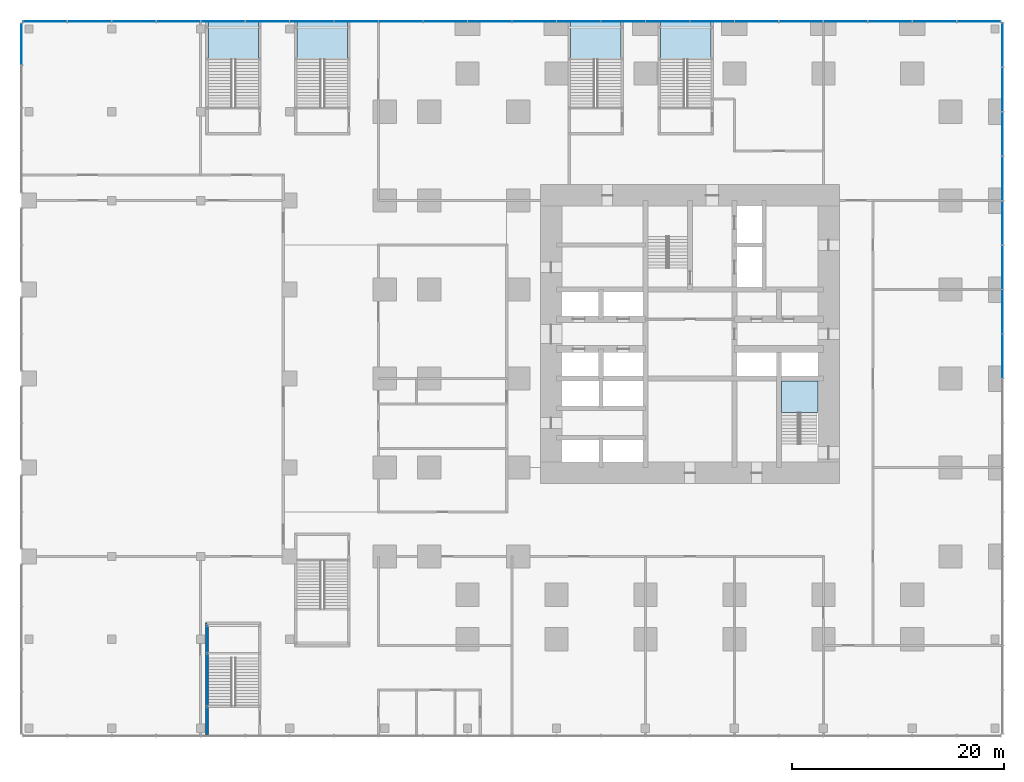
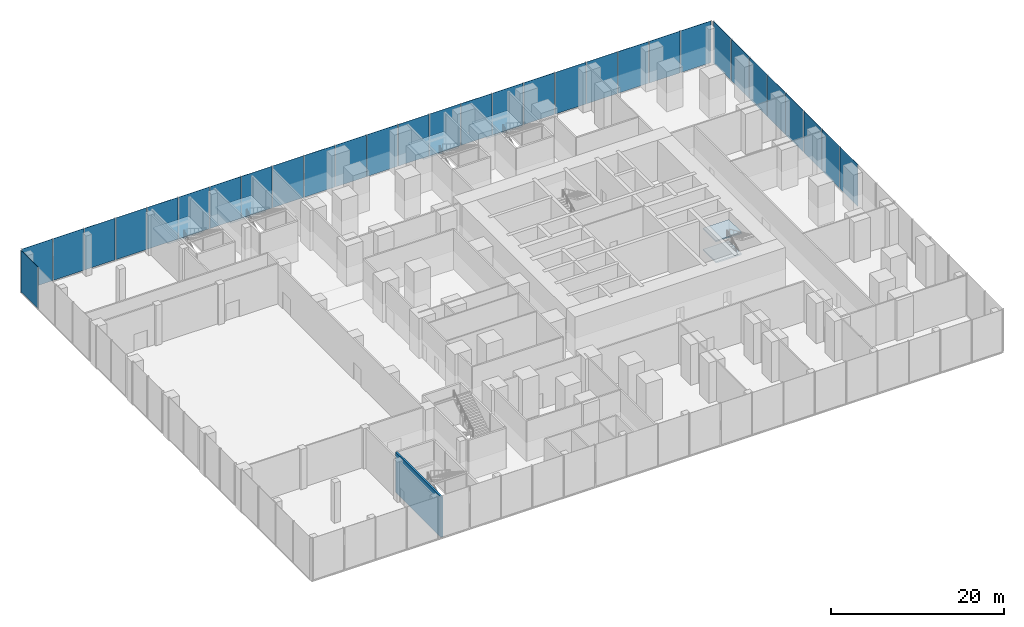
# One storey, part 24 of 32: 31 plates, 6 slabs, 1 wall, 8 elements without a shape of their own.
"""IFC4 building model written with IfcOpenShell, lengths in metres."""

from ifc_helpers import new_model, si_unit, direction, frame, frame_2d, origin, origin_2d, place, context, subcontext, project, spatial, polyline, rectangle, outline, extrude, material, layer, layer_set, type_object, element, aggregate, save


model = new_model("IFC4")

# Units and contexts
model_context = context("Model", 3, precision=1e-05, world=origin(), true_north=direction((0.0, 1.0)))
body_context = subcontext(model_context, "Body", "Model", "MODEL_VIEW")
ifc_project = project(units=[si_unit("LENGTHUNIT", "METRE"), si_unit("AREAUNIT", "SQUARE_METRE"), si_unit("VOLUMEUNIT", "CUBIC_METRE"), si_unit("PLANEANGLEUNIT", "RADIAN"), si_unit("MASSUNIT", "GRAM", prefix="KILO")], contexts=[model_context])

# Site, building, storey
site_placement = place(None, origin())
site = spatial("IfcSite", under=ifc_project, at=site_placement, CompositionType="ELEMENT")
building_placement = place(site_placement, origin())
building = spatial("IfcBuilding", under=site, at=building_placement, Name="Dunama Terrace Hotel", CompositionType="ELEMENT")
storey_placement = place(building_placement, frame((0.0, 0.0, 6.0)))
storey = spatial("IfcBuildingStorey", under=building, at=storey_placement, Name="L01", CompositionType="ELEMENT", Elevation=6.0)

# Curtain wall, plates
ifc_material_1 = material(Name="Aluminium curtain wall system", Category="aluminium")
curtain_wall_type = type_object("IfcCurtainWallType", Name="Podium storefront glazing CW-E", PredefinedType="NOTDEFINED", material=ifc_material_1)
curtain_wall_1_placement = place(storey_placement, origin())
curtain_wall_1 = element("IfcCurtainWall", 1, at=curtain_wall_1_placement, inside=storey, type_object=curtain_wall_type, Name="Podium storefront glazing CW-E L01", PredefinedType="NOTDEFINED")
ifc_material_2 = material(Name="Laminated glass", Category="glass")
ifc_layer_1 = layer(ifc_material_2, 0.033935546875)
ifc_layer_set_1 = layer_set([ifc_layer_1], Name="CWE clear glass panel")
plate_type_1 = type_object("IfcPlateType", Name="CWE clear glass panel", PredefinedType="CURTAIN_PANEL", material=ifc_layer_set_1)
plate_1_placement = place(storey_placement, frame((58.925048828125, 31.5, 0.08984375), z_axis=(0.0, 0.0, 1.0), x_axis=(0.0, 1.0, 0.0)))
plate_1 = element("IfcPlate", 2, at=plate_1_placement, type_object=plate_type_1, Name="CWE clear glass panel", PredefinedType="CURTAIN_PANEL", context=body_context, shape_type="SweptSolid", body=[
    extrude(rectangle(XDim=4.1201171875, YDim=0.033935546875, at=origin_2d()), origin(), (0.0, 0.0, 1.0), 5.909912109375),
])
plate_2_placement = place(storey_placement, frame((58.925048828125, 44.10009765625, 0.08984375), z_axis=(0.0, 0.0, 1.0), x_axis=(0.0, 1.0, 0.0)))
plate_2 = element("IfcPlate", 3, at=plate_2_placement, type_object=plate_type_1, Name="CWE clear glass panel", PredefinedType="CURTAIN_PANEL", context=body_context, shape_type="SweptSolid", body=[
    extrude(rectangle(XDim=4.1201171875, YDim=0.033935546875, at=origin_2d()), origin(), (0.0, 0.0, 1.0), 5.909912109375),
])
plate_3_placement = place(storey_placement, frame((58.925048828125, 56.679931640625, 0.08984375), z_axis=(0.0, 0.0, 1.0), x_axis=(0.0, 1.0, 0.0)))
plate_3 = element("IfcPlate", 4, at=plate_3_placement, type_object=plate_type_1, Name="CWE clear glass panel", PredefinedType="CURTAIN_PANEL", context=body_context, shape_type="SweptSolid", body=[
    extrude(rectangle(XDim=4.080078125, YDim=0.033935546875, at=origin_2d()), origin(), (0.0, 0.0, 1.0), 5.909912109375),
])

curtain_wall_2_placement = place(storey_placement, origin())
curtain_wall_2 = element("IfcCurtainWall", 5, at=curtain_wall_2_placement, inside=storey, type_object=curtain_wall_type, Name="Podium storefront glazing CW-E L01", PredefinedType="NOTDEFINED")
plate_4_placement = place(storey_placement, frame((56.679931640625, 58.925048828125, 0.08984375), z_axis=(0.0, 0.0, 1.0), x_axis=(-1.0, 0.0, 0.0)))
plate_4 = element("IfcPlate", 6, at=plate_4_placement, type_object=plate_type_1, Name="CWE clear glass panel", PredefinedType="CURTAIN_PANEL", context=body_context, shape_type="SweptSolid", body=[
    extrude(rectangle(XDim=4.080078125, YDim=0.033935546875, at=origin_2d()), origin(), (0.0, 0.0, 1.0), 5.909912109375),
])
plate_5_placement = place(storey_placement, frame((44.10009765625, 58.925048828125, 0.08984375), z_axis=(0.0, 0.0, 1.0), x_axis=(-1.0, 0.0, 0.0)))
plate_5 = element("IfcPlate", 7, at=plate_5_placement, type_object=plate_type_1, Name="CWE clear glass panel", PredefinedType="CURTAIN_PANEL", context=body_context, shape_type="SweptSolid", body=[
    extrude(rectangle(XDim=4.1201171875, YDim=0.033935546875, at=origin_2d()), origin(), (0.0, 0.0, 1.0), 5.909912109375),
])
plate_6_placement = place(storey_placement, frame((31.5, 58.925048828125, 0.08984375), z_axis=(0.0, 0.0, 1.0), x_axis=(-1.0, 0.0, 0.0)))
plate_6 = element("IfcPlate", 8, at=plate_6_placement, type_object=plate_type_1, Name="CWE clear glass panel", PredefinedType="CURTAIN_PANEL", context=body_context, shape_type="SweptSolid", body=[
    extrude(rectangle(XDim=4.1201171875, YDim=0.033935546875, at=origin_2d()), origin(), (0.0, 0.0, 1.0), 5.909912109375),
])
plate_7_placement = place(storey_placement, frame((18.89990234375, 58.925048828125, 0.08984375), z_axis=(0.0, 0.0, 1.0), x_axis=(-1.0, 0.0, 0.0)))
plate_7 = element("IfcPlate", 9, at=plate_7_placement, type_object=plate_type_1, Name="CWE clear glass panel", PredefinedType="CURTAIN_PANEL", context=body_context, shape_type="SweptSolid", body=[
    extrude(rectangle(XDim=4.1201171875, YDim=0.033935546875, at=origin_2d()), origin(), (0.0, 0.0, 1.0), 5.909912109375),
])
plate_8_placement = place(storey_placement, frame((6.300048828125, 58.925048828125, 0.08984375), z_axis=(0.0, 0.0, 1.0), x_axis=(-1.0, 0.0, 0.0)))
plate_8 = element("IfcPlate", 10, at=plate_8_placement, type_object=plate_type_1, Name="CWE clear glass panel", PredefinedType="CURTAIN_PANEL", context=body_context, shape_type="SweptSolid", body=[
    extrude(rectangle(XDim=4.1201171875, YDim=0.033935546875, at=origin_2d()), origin(), (0.0, 0.0, 1.0), 5.909912109375),
])
plate_9_placement = place(storey_placement, frame((-6.300048828125, 58.925048828125, 0.08984375), z_axis=(0.0, 0.0, 1.0), x_axis=(-1.0, 0.0, 0.0)))
plate_9 = element("IfcPlate", 11, at=plate_9_placement, type_object=plate_type_1, Name="CWE clear glass panel", PredefinedType="CURTAIN_PANEL", context=body_context, shape_type="SweptSolid", body=[
    extrude(rectangle(XDim=4.1201171875, YDim=0.033935546875, at=origin_2d()), origin(), (0.0, 0.0, 1.0), 5.909912109375),
])
plate_10_placement = place(storey_placement, frame((-18.89990234375, 58.925048828125, 0.08984375), z_axis=(0.0, 0.0, 1.0), x_axis=(-1.0, 0.0, 0.0)))
plate_10 = element("IfcPlate", 12, at=plate_10_placement, type_object=plate_type_1, Name="CWE clear glass panel", PredefinedType="CURTAIN_PANEL", context=body_context, shape_type="SweptSolid", body=[
    extrude(rectangle(XDim=4.1201171875, YDim=0.033935546875, at=origin_2d()), origin(), (0.0, 0.0, 1.0), 5.909912109375),
])
plate_11_placement = place(storey_placement, frame((-31.47998046875, 58.925048828125, 0.08984375), z_axis=(0.0, 0.0, 1.0), x_axis=(-1.0, 0.0, 0.0)))
plate_11 = element("IfcPlate", 13, at=plate_11_placement, type_object=plate_type_1, Name="CWE clear glass panel", PredefinedType="CURTAIN_PANEL", context=body_context, shape_type="SweptSolid", body=[
    extrude(rectangle(XDim=4.080078125, YDim=0.033935546875, at=origin_2d()), origin(), (0.0, 0.0, 1.0), 5.909912109375),
])

# Curtain wall, plate
curtain_wall_3_placement = place(storey_placement, origin())
curtain_wall_3 = element("IfcCurtainWall", 14, at=curtain_wall_3_placement, inside=storey, type_object=curtain_wall_type, Name="Podium storefront glazing CW-E L01", PredefinedType="NOTDEFINED")
plate_12_placement = place(storey_placement, frame((-33.72509765625, 56.76708984375, 0.08984375), z_axis=(0.0, 0.0, 1.0), x_axis=(0.0, -1.0, 0.0)))
plate_12 = element("IfcPlate", 15, at=plate_12_placement, type_object=plate_type_1, Name="CWE clear glass panel", PredefinedType="CURTAIN_PANEL", context=body_context, shape_type="SweptSolid", body=[
    extrude(rectangle(XDim=3.905029296875, YDim=0.033935546875, at=origin_2d()), origin(), (0.0, 0.0, 1.0), 5.909912109375),
])
aggregate(curtain_wall_3, [plate_12])

# Plate
ifc_material_3 = material(Name="Fritted laminated glass", Category="glass")
ifc_layer_2 = layer(ifc_material_3, 0.033935546875)
ifc_layer_set_2 = layer_set([ifc_layer_2], Name="CWE fritted glass panel")
plate_type_2 = type_object("IfcPlateType", Name="CWE fritted glass panel", PredefinedType="CURTAIN_PANEL", material=ifc_layer_set_2)
plate_13_placement = place(storey_placement, frame((58.925048828125, 27.300048828125, 0.08984375), z_axis=(0.0, 0.0, 1.0), x_axis=(0.0, 1.0, 0.0)))
plate_13 = element("IfcPlate", 16, at=plate_13_placement, type_object=plate_type_2, Name="CWE fritted glass panel", PredefinedType="CURTAIN_PANEL", context=body_context, shape_type="SweptSolid", body=[
    extrude(rectangle(XDim=4.1201171875, YDim=0.033935546875, at=origin_2d()), origin(), (0.0, 0.0, 1.0), 5.909912109375),
])

plate_14_placement = place(storey_placement, frame((58.925048828125, 39.89990234375, 0.08984375), z_axis=(0.0, 0.0, 1.0), x_axis=(0.0, 1.0, 0.0)))
plate_14 = element("IfcPlate", 17, at=plate_14_placement, type_object=plate_type_2, Name="CWE fritted glass panel", PredefinedType="CURTAIN_PANEL", context=body_context, shape_type="SweptSolid", body=[
    extrude(rectangle(XDim=4.1201171875, YDim=0.033935546875, at=origin_2d()), origin(), (0.0, 0.0, 1.0), 5.909912109375),
])

plate_15_placement = place(storey_placement, frame((58.925048828125, 52.5, 0.08984375), z_axis=(0.0, 0.0, 1.0), x_axis=(0.0, 1.0, 0.0)))
plate_15 = element("IfcPlate", 18, at=plate_15_placement, type_object=plate_type_2, Name="CWE fritted glass panel", PredefinedType="CURTAIN_PANEL", context=body_context, shape_type="SweptSolid", body=[
    extrude(rectangle(XDim=4.1201171875, YDim=0.033935546875, at=origin_2d()), origin(), (0.0, 0.0, 1.0), 5.909912109375),
])

plate_16_placement = place(storey_placement, frame((48.300048828125, 58.925048828125, 0.08984375), z_axis=(0.0, 0.0, 1.0), x_axis=(-1.0, 0.0, 0.0)))
plate_16 = element("IfcPlate", 19, at=plate_16_placement, type_object=plate_type_2, Name="CWE fritted glass panel", PredefinedType="CURTAIN_PANEL", context=body_context, shape_type="SweptSolid", body=[
    extrude(rectangle(XDim=4.1201171875, YDim=0.033935546875, at=origin_2d()), origin(), (0.0, 0.0, 1.0), 5.909912109375),
])

plate_17_placement = place(storey_placement, frame((35.699951171875, 58.925048828125, 0.08984375), z_axis=(0.0, 0.0, 1.0), x_axis=(-1.0, 0.0, 0.0)))
plate_17 = element("IfcPlate", 20, at=plate_17_placement, type_object=plate_type_2, Name="CWE fritted glass panel", PredefinedType="CURTAIN_PANEL", context=body_context, shape_type="SweptSolid", body=[
    extrude(rectangle(XDim=4.1201171875, YDim=0.033935546875, at=origin_2d()), origin(), (0.0, 0.0, 1.0), 5.909912109375),
])

plate_18_placement = place(storey_placement, frame((23.10009765625, 58.925048828125, 0.08984375), z_axis=(0.0, 0.0, 1.0), x_axis=(-1.0, 0.0, 0.0)))
plate_18 = element("IfcPlate", 21, at=plate_18_placement, type_object=plate_type_2, Name="CWE fritted glass panel", PredefinedType="CURTAIN_PANEL", context=body_context, shape_type="SweptSolid", body=[
    extrude(rectangle(XDim=4.1201171875, YDim=0.033935546875, at=origin_2d()), origin(), (0.0, 0.0, 1.0), 5.909912109375),
])

plate_19_placement = place(storey_placement, frame((10.5, 58.925048828125, 0.08984375), z_axis=(0.0, 0.0, 1.0), x_axis=(-1.0, 0.0, 0.0)))
plate_19 = element("IfcPlate", 22, at=plate_19_placement, type_object=plate_type_2, Name="CWE fritted glass panel", PredefinedType="CURTAIN_PANEL", context=body_context, shape_type="SweptSolid", body=[
    extrude(rectangle(XDim=4.1201171875, YDim=0.033935546875, at=origin_2d()), origin(), (0.0, 0.0, 1.0), 5.909912109375),
])

plate_20_placement = place(storey_placement, frame((-2.10009765625, 58.925048828125, 0.08984375), z_axis=(0.0, 0.0, 1.0), x_axis=(-1.0, 0.0, 0.0)))
plate_20 = element("IfcPlate", 23, at=plate_20_placement, type_object=plate_type_2, Name="CWE fritted glass panel", PredefinedType="CURTAIN_PANEL", context=body_context, shape_type="SweptSolid", body=[
    extrude(rectangle(XDim=4.1201171875, YDim=0.033935546875, at=origin_2d()), origin(), (0.0, 0.0, 1.0), 5.909912109375),
])

plate_21_placement = place(storey_placement, frame((-14.699951171875, 58.925048828125, 0.08984375), z_axis=(0.0, 0.0, 1.0), x_axis=(-1.0, 0.0, 0.0)))
plate_21 = element("IfcPlate", 24, at=plate_21_placement, type_object=plate_type_2, Name="CWE fritted glass panel", PredefinedType="CURTAIN_PANEL", context=body_context, shape_type="SweptSolid", body=[
    extrude(rectangle(XDim=4.1201171875, YDim=0.033935546875, at=origin_2d()), origin(), (0.0, 0.0, 1.0), 5.909912109375),
])

plate_22_placement = place(storey_placement, frame((-27.300048828125, 58.925048828125, 0.08984375), z_axis=(0.0, 0.0, 1.0), x_axis=(-1.0, 0.0, 0.0)))
plate_22 = element("IfcPlate", 25, at=plate_22_placement, type_object=plate_type_2, Name="CWE fritted glass panel", PredefinedType="CURTAIN_PANEL", context=body_context, shape_type="SweptSolid", body=[
    extrude(rectangle(XDim=4.1201171875, YDim=0.033935546875, at=origin_2d()), origin(), (0.0, 0.0, 1.0), 5.909912109375),
])

ifc_material_4 = material(Name="Laminated glass", Category="glass")
ifc_layer_3 = layer(ifc_material_4, 0.033935546875)
ifc_layer_set_3 = layer_set([ifc_layer_3], Name="CWE operable glass panel")
plate_type_3 = type_object("IfcPlateType", Name="CWE operable glass panel", PredefinedType="CURTAIN_PANEL", material=ifc_layer_set_3)
plate_23_placement = place(storey_placement, frame((58.925048828125, 35.699951171875, 0.08984375), z_axis=(0.0, 0.0, 1.0), x_axis=(0.0, 1.0, 0.0)))
plate_23 = element("IfcPlate", 26, at=plate_23_placement, type_object=plate_type_3, Name="CWE operable glass panel", PredefinedType="CURTAIN_PANEL", context=body_context, shape_type="SweptSolid", body=[
    extrude(rectangle(XDim=4.1201171875, YDim=0.033935546875, at=origin_2d()), origin(), (0.0, 0.0, 1.0), 5.909912109375),
])

plate_24_placement = place(storey_placement, frame((58.925048828125, 48.300048828125, 0.08984375), z_axis=(0.0, 0.0, 1.0), x_axis=(0.0, 1.0, 0.0)))
plate_24 = element("IfcPlate", 27, at=plate_24_placement, type_object=plate_type_3, Name="CWE operable glass panel", PredefinedType="CURTAIN_PANEL", context=body_context, shape_type="SweptSolid", body=[
    extrude(rectangle(XDim=4.1201171875, YDim=0.033935546875, at=origin_2d()), origin(), (0.0, 0.0, 1.0), 5.909912109375),
])

aggregate(curtain_wall_1, [plate_13, plate_1, plate_23, plate_14, plate_2, plate_24, plate_15, plate_3])

plate_25_placement = place(storey_placement, frame((52.5, 58.925048828125, 0.08984375), z_axis=(0.0, 0.0, 1.0), x_axis=(-1.0, 0.0, 0.0)))
plate_25 = element("IfcPlate", 28, at=plate_25_placement, type_object=plate_type_3, Name="CWE operable glass panel", PredefinedType="CURTAIN_PANEL", context=body_context, shape_type="SweptSolid", body=[
    extrude(rectangle(XDim=4.1201171875, YDim=0.033935546875, at=origin_2d()), origin(), (0.0, 0.0, 1.0), 5.909912109375),
])

plate_26_placement = place(storey_placement, frame((39.89990234375, 58.925048828125, 0.08984375), z_axis=(0.0, 0.0, 1.0), x_axis=(-1.0, 0.0, 0.0)))
plate_26 = element("IfcPlate", 29, at=plate_26_placement, type_object=plate_type_3, Name="CWE operable glass panel", PredefinedType="CURTAIN_PANEL", context=body_context, shape_type="SweptSolid", body=[
    extrude(rectangle(XDim=4.1201171875, YDim=0.033935546875, at=origin_2d()), origin(), (0.0, 0.0, 1.0), 5.909912109375),
])

plate_27_placement = place(storey_placement, frame((27.300048828125, 58.925048828125, 0.08984375), z_axis=(0.0, 0.0, 1.0), x_axis=(-1.0, 0.0, 0.0)))
plate_27 = element("IfcPlate", 30, at=plate_27_placement, type_object=plate_type_3, Name="CWE operable glass panel", PredefinedType="CURTAIN_PANEL", context=body_context, shape_type="SweptSolid", body=[
    extrude(rectangle(XDim=4.1201171875, YDim=0.033935546875, at=origin_2d()), origin(), (0.0, 0.0, 1.0), 5.909912109375),
])

plate_28_placement = place(storey_placement, frame((14.699951171875, 58.925048828125, 0.08984375), z_axis=(0.0, 0.0, 1.0), x_axis=(-1.0, 0.0, 0.0)))
plate_28 = element("IfcPlate", 31, at=plate_28_placement, type_object=plate_type_3, Name="CWE operable glass panel", PredefinedType="CURTAIN_PANEL", context=body_context, shape_type="SweptSolid", body=[
    extrude(rectangle(XDim=4.1201171875, YDim=0.033935546875, at=origin_2d()), origin(), (0.0, 0.0, 1.0), 5.909912109375),
])

plate_29_placement = place(storey_placement, frame((2.10009765625, 58.925048828125, 0.08984375), z_axis=(0.0, 0.0, 1.0), x_axis=(-1.0, 0.0, 0.0)))
plate_29 = element("IfcPlate", 32, at=plate_29_placement, type_object=plate_type_3, Name="CWE operable glass panel", PredefinedType="CURTAIN_PANEL", context=body_context, shape_type="SweptSolid", body=[
    extrude(rectangle(XDim=4.1201171875, YDim=0.033935546875, at=origin_2d()), origin(), (0.0, 0.0, 1.0), 5.909912109375),
])

plate_30_placement = place(storey_placement, frame((-10.5, 58.925048828125, 0.08984375), z_axis=(0.0, 0.0, 1.0), x_axis=(-1.0, 0.0, 0.0)))
plate_30 = element("IfcPlate", 33, at=plate_30_placement, type_object=plate_type_3, Name="CWE operable glass panel", PredefinedType="CURTAIN_PANEL", context=body_context, shape_type="SweptSolid", body=[
    extrude(rectangle(XDim=4.1201171875, YDim=0.033935546875, at=origin_2d()), origin(), (0.0, 0.0, 1.0), 5.909912109375),
])

plate_31_placement = place(storey_placement, frame((-23.10009765625, 58.925048828125, 0.08984375), z_axis=(0.0, 0.0, 1.0), x_axis=(-1.0, 0.0, 0.0)))
plate_31 = element("IfcPlate", 34, at=plate_31_placement, type_object=plate_type_3, Name="CWE operable glass panel", PredefinedType="CURTAIN_PANEL", context=body_context, shape_type="SweptSolid", body=[
    extrude(rectangle(XDim=4.1201171875, YDim=0.033935546875, at=origin_2d()), origin(), (0.0, 0.0, 1.0), 5.909912109375),
])

aggregate(curtain_wall_2, [plate_4, plate_25, plate_16, plate_5, plate_26, plate_17, plate_6, plate_27, plate_18, plate_7, plate_28, plate_19, plate_8, plate_29, plate_20, plate_9, plate_30, plate_21, plate_10, plate_31, plate_22, plate_11])

# Stair, slab
ifc_material_5 = material(Name="Concrete C40/50", Category="concrete")
stair_type_1 = type_object("IfcStairType", Name="Stair P1-6000-2250", PredefinedType="HALF_TURN_STAIR", material=ifc_material_5)
stair_1_placement = place(storey_placement, origin())
stair_1 = element("IfcStair", 35, at=stair_1_placement, inside=storey, type_object=stair_type_1, Name="Stair P1 L01", PredefinedType="HALF_TURN_STAIR")
ifc_material_6 = material(Name="Concrete C40/50", Category="concrete")
ifc_layer_4 = layer(ifc_material_6, 0.25)
ifc_layer_set_4 = layer_set([ifc_layer_4], Name="Podium stair landing 250")
slab_type_1 = type_object("IfcSlabType", Name="Podium stair landing 250", PredefinedType="LANDING", material=ifc_layer_set_4)
slab_1_placement = place(storey_placement, frame((0.0, 0.0, 2.75)))
slab_1 = element("IfcSlab", 36, at=slab_1_placement, type_object=slab_type_1, Name="P1 landing 1, type S11", PredefinedType="LANDING", context=body_context, shape_type="SweptSolid", body=[
    extrude(outline(polyline([(-16.074951171875, 55.304931640625), (-11.324951171875, 55.304931640625), (-11.324951171875, 58.800048828125), (-16.074951171875, 58.800048828125), (-16.074951171875, 55.304931640625)])), origin(), (0.0, 0.0, 1.0), 0.25),
])
aggregate(stair_1, [slab_1])

ifc_material_7 = material(Name="Concrete C40/50", Category="concrete")
stair_type_2 = type_object("IfcStairType", Name="Stair P3-6000-2250", PredefinedType="HALF_TURN_STAIR", material=ifc_material_7)
stair_2_placement = place(storey_placement, origin())
stair_2 = element("IfcStair", 37, at=stair_2_placement, inside=storey, type_object=stair_type_2, Name="Stair P3 L01", PredefinedType="HALF_TURN_STAIR")
slab_2_placement = place(storey_placement, frame((0.0, 0.0, 2.75)))
slab_2 = element("IfcSlab", 38, at=slab_2_placement, type_object=slab_type_1, Name="P3 landing 1, type S11", PredefinedType="LANDING", context=body_context, shape_type="SweptSolid", body=[
    extrude(outline(polyline([(-7.675048828125, 55.304931640625), (-2.925048828125, 55.304931640625), (-2.925048828125, 58.800048828125), (-7.675048828125, 58.800048828125), (-7.675048828125, 55.304931640625)])), origin(), (0.0, 0.0, 1.0), 0.25),
])
aggregate(stair_2, [slab_2])

ifc_material_8 = material(Name="Concrete C40/50", Category="concrete")
stair_type_3 = type_object("IfcStairType", Name="Stair P5-6000-2250", PredefinedType="HALF_TURN_STAIR", material=ifc_material_8)
stair_3_placement = place(storey_placement, origin())
stair_3 = element("IfcStair", 39, at=stair_3_placement, inside=storey, type_object=stair_type_3, Name="Stair P5 L01", PredefinedType="HALF_TURN_STAIR")
slab_3_placement = place(storey_placement, frame((0.0, 0.0, 2.75)))
slab_3 = element("IfcSlab", 40, at=slab_3_placement, type_object=slab_type_1, Name="P5 landing 1, type S11", PredefinedType="LANDING", context=body_context, shape_type="SweptSolid", body=[
    extrude(outline(polyline([(18.125, 55.304931640625), (22.875, 55.304931640625), (22.875, 58.800048828125), (18.125, 58.800048828125), (18.125, 55.304931640625)])), origin(), (0.0, 0.0, 1.0), 0.25),
])
aggregate(stair_3, [slab_3])

ifc_material_9 = material(Name="Concrete C40/50", Category="concrete")
stair_type_4 = type_object("IfcStairType", Name="Stair P6-6000-2250", PredefinedType="HALF_TURN_STAIR", material=ifc_material_9)
stair_4_placement = place(storey_placement, origin())
stair_4 = element("IfcStair", 41, at=stair_4_placement, inside=storey, type_object=stair_type_4, Name="Stair P6 L01", PredefinedType="HALF_TURN_STAIR")
slab_4_placement = place(storey_placement, frame((0.0, 0.0, 2.75)))
slab_4 = element("IfcSlab", 42, at=slab_4_placement, type_object=slab_type_1, Name="P6 landing 1, type S11", PredefinedType="LANDING", context=body_context, shape_type="SweptSolid", body=[
    extrude(outline(polyline([(26.625, 55.304931640625), (31.375, 55.304931640625), (31.375, 58.800048828125), (26.625, 58.800048828125), (26.625, 55.304931640625)])), origin(), (0.0, 0.0, 1.0), 0.25),
])
aggregate(stair_4, [slab_4])

# Stair, slabs
ifc_material_10 = material(Name="Concrete C40/50", Category="concrete")
stair_type_5 = type_object("IfcStairType", Name="Stair ST2-6000-1600", PredefinedType="HALF_TURN_STAIR", material=ifc_material_10)
stair_5_placement = place(storey_placement, origin())
stair_5 = element("IfcStair", 43, at=stair_5_placement, inside=storey, type_object=stair_type_5, Name="Stair ST2 L01", PredefinedType="HALF_TURN_STAIR")
ifc_material_11 = material(Name="Concrete C40/50", Category="concrete")
ifc_layer_5 = layer(ifc_material_11, 0.199951171875)
ifc_layer_set_5 = layer_set([ifc_layer_5], Name="Stair landing 200")
slab_type_2 = type_object("IfcSlabType", Name="Stair landing 200", PredefinedType="LANDING", material=ifc_layer_set_5)
slab_5_placement = place(storey_placement, frame((0.0, 0.0, 1.300048828125)))
slab_5 = element("IfcSlab", 44, at=slab_5_placement, type_object=slab_type_2, Name="ST2 landing 2, type S10", PredefinedType="LANDING", context=body_context, shape_type="SweptSolid", body=[
    extrude(outline(polyline([(38.050048828125, 22.0), (41.5, 22.0), (41.5, 24.97509765625), (38.050048828125, 24.97509765625), (38.050048828125, 22.0)])), origin(), (0.0, 0.0, 1.0), 0.199951171875),
])
slab_6_placement = place(storey_placement, frame((0.0, 0.0, 4.300048828125)))
slab_6 = element("IfcSlab", 45, at=slab_6_placement, type_object=slab_type_2, Name="ST2 landing 4, type S10", PredefinedType="LANDING", context=body_context, shape_type="SweptSolid", body=[
    extrude(outline(polyline([(38.050048828125, 22.0), (41.5, 22.0), (41.5, 24.97509765625), (38.050048828125, 24.97509765625), (38.050048828125, 22.0)])), origin(), (0.0, 0.0, 1.0), 0.199951171875),
])
aggregate(stair_5, [slab_5, slab_6])

# Wall
ifc_material_12 = material(Name="Concrete blockwork", Category="masonry")
ifc_layer_6 = layer(ifc_material_12, 0.25)
ifc_layer_set_6 = layer_set([ifc_layer_6], Name="Stair enclosure wall 250")
wall_type = type_object("IfcWallType", Name="Stair enclosure wall 250", PredefinedType="PARTITIONING", material=ifc_layer_set_6)
wall_placement = place(storey_placement, frame((-16.199951171875, -8.423095703125, 0.0), z_axis=(0.0, 0.0, 1.0), x_axis=(0.0, 1.0, 0.0)))
element("IfcWall", 46, at=wall_placement, inside=storey, type_object=wall_type, Name="Stair enclosure wall 250 L01", PredefinedType="PARTITIONING", context=body_context, shape_type="SweptSolid", body=[
    extrude(rectangle(XDim=10.523193359375, YDim=0.25, at=frame_2d((5.26171875, 0.0))), origin(), (0.0, 0.0, 1.0), 5.699951171875),
])

save(model, "model.ifc")
